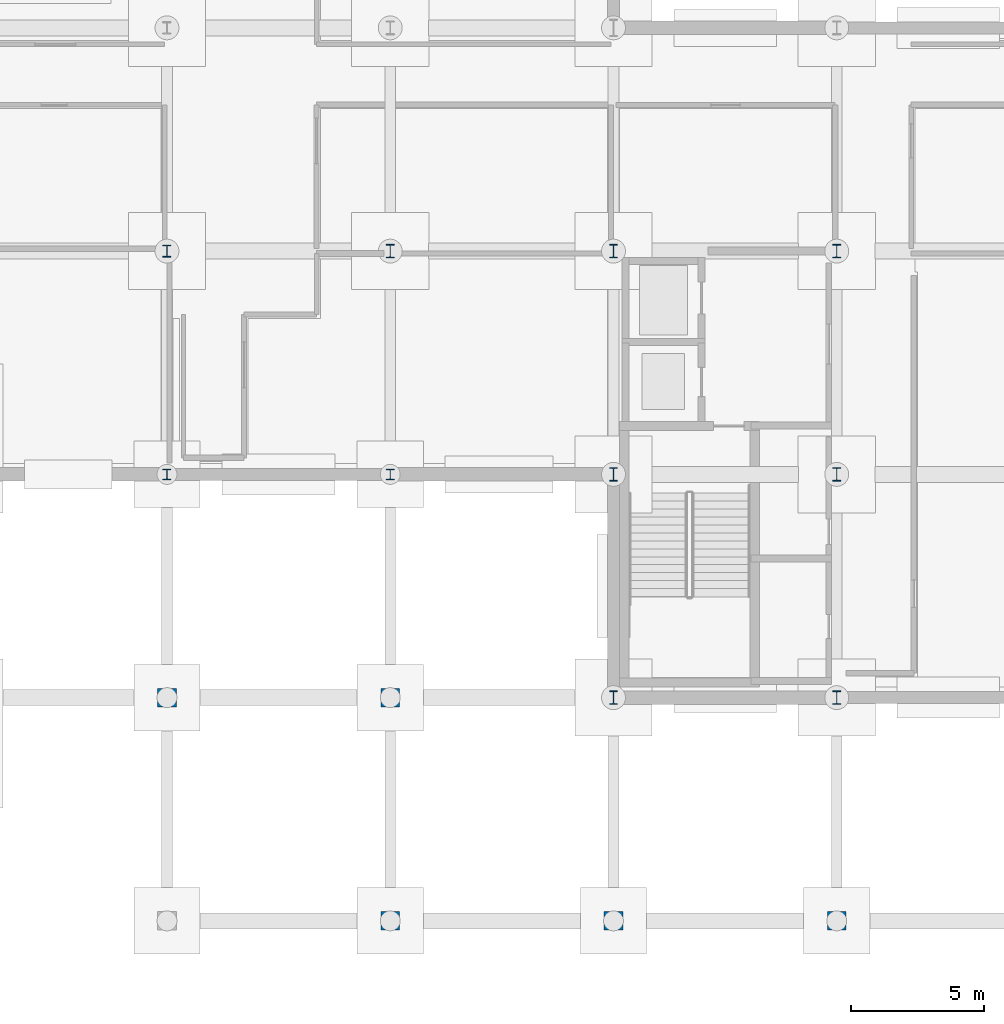
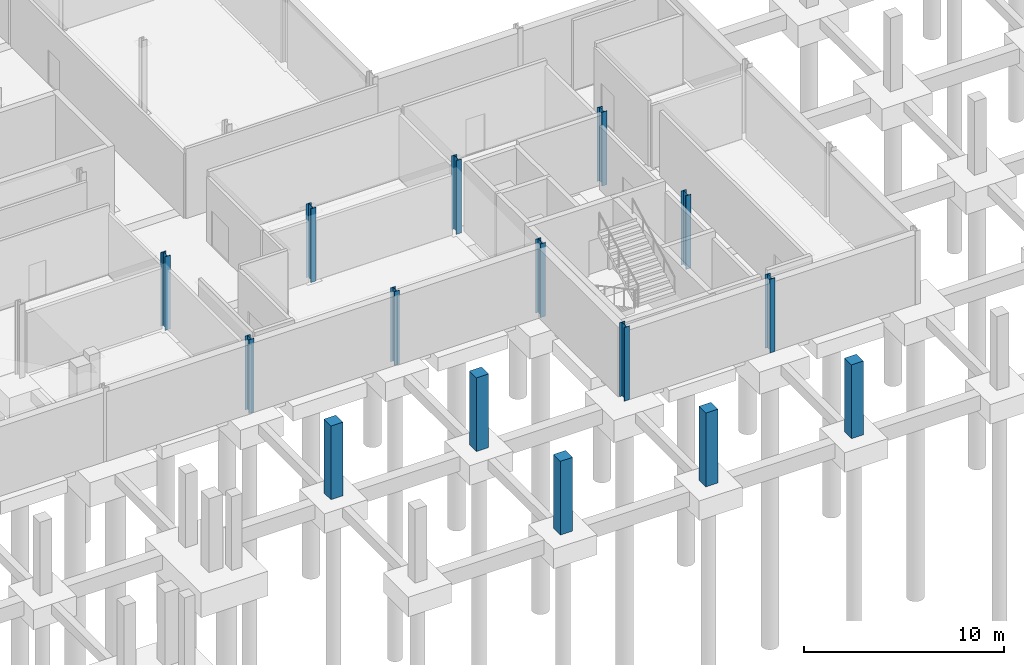
# One storey, part 10 of 43: 15 columns.
"""IFC4 building model written with IfcOpenShell, lengths in metres."""

from ifc_helpers import new_model, si_unit, direction, frame, origin, origin_2d, place, context, subcontext, project, spatial, rectangle, i_section, extrude, material, material_profile, profile_set, type_object, element, save


model = new_model("IFC4")

# Units and contexts
model_context = context("Model", 3, precision=1e-05, world=origin(), true_north=direction((0.0, 1.0)))
body_context = subcontext(model_context, "Body", "Model", "MODEL_VIEW")
ifc_project = project(units=[si_unit("LENGTHUNIT", "METRE"), si_unit("AREAUNIT", "SQUARE_METRE"), si_unit("VOLUMEUNIT", "CUBIC_METRE"), si_unit("PLANEANGLEUNIT", "RADIAN"), si_unit("MASSUNIT", "GRAM", prefix="KILO")], contexts=[model_context])

# Site, building, storey
site_placement = place(None, origin())
site = spatial("IfcSite", under=ifc_project, at=site_placement, CompositionType="ELEMENT")
building_placement = place(site_placement, origin())
building = spatial("IfcBuilding", under=site, at=building_placement, Name="Mersafa Astral City Hall", CompositionType="ELEMENT")
storey_placement = place(building_placement, frame((0.0, 0.0, -4.5)))
storey = spatial("IfcBuildingStorey", under=building, at=storey_placement, Name="B1", CompositionType="ELEMENT", Elevation=-4.5)

# Columns
ifc_material_1 = material(Name="Steel S355", Category="steel")
ifc_material_profile_1 = material_profile(ifc_material_1, i_section(OverallWidth=0.300048828125, OverallDepth=0.39990234375, WebThickness=0.013427734375, FlangeThickness=0.02392578125, FilletRadius=0.027099609375, at=origin_2d()), Name="HEB 400")
ifc_profile_set_1 = profile_set([ifc_material_profile_1], Name="Steel S355")
column_type_1 = type_object("IfcColumnType", Name="STR-COL-HEB400", PredefinedType="COLUMN", material=ifc_profile_set_1)
for number, where, z_axis, x_axis, name in (
    (1, (100.800048828125, 16.800048828125, 0.0), (0.0, 0.0, 1.0), (1.0, 0.0, 0.0), "B1 Structural column G-12-02"),
    (2, (109.199951171875, 16.800048828125, 0.0), (0.0, 0.0, 1.0), (1.0, 0.0, 0.0), "B1 Structural column G-13-02"),
):
    element("IfcColumn", number, at=place(storey_placement, frame(where, z_axis=z_axis, x_axis=x_axis)), inside=storey, type_object=column_type_1, Name=name, PredefinedType="COLUMN", context=body_context, shape_type="SweptSolid", body=[
        extrude(i_section(OverallWidth=0.300048828125, OverallDepth=0.39990234375, WebThickness=0.013427734375, FlangeThickness=0.02392578125, FilletRadius=0.027099609375, at=origin_2d()), origin(), (0.0, 0.0, 1.0), 4.5),
    ])
ifc_material_profile_2 = material_profile(ifc_material_1, i_section(OverallWidth=0.300048828125, OverallDepth=0.449951171875, WebThickness=0.013916015625, FlangeThickness=0.02587890625, FilletRadius=0.027099609375, at=origin_2d()), Name="HEB 450")
ifc_profile_set_2 = profile_set([ifc_material_profile_2], Name="Steel S355")
column_type_2 = type_object("IfcColumnType", Name="STR-COL-HEB450", PredefinedType="COLUMN", material=ifc_profile_set_2)
column_placement = place(storey_placement, frame((100.800048828125, 25.199951171875, 0.0), z_axis=(0.0, 0.0, 1.0), x_axis=(1.0, 0.0, 0.0)))
element("IfcColumn", 3, at=column_placement, inside=storey, type_object=column_type_2, Name="B1 Structural column G-12-03", PredefinedType="COLUMN", context=body_context, shape_type="SweptSolid", body=[
    extrude(i_section(OverallWidth=0.300048828125, OverallDepth=0.449951171875, WebThickness=0.013916015625, FlangeThickness=0.02587890625, FilletRadius=0.027099609375, at=origin_2d()), origin(), (0.0, 0.0, 1.0), 4.5),
])
ifc_material_profile_3 = material_profile(ifc_material_1, i_section(OverallWidth=0.300048828125, OverallDepth=0.5, WebThickness=0.014404296875, FlangeThickness=0.028076171875, FilletRadius=0.027099609375, at=origin_2d()), Name="HEB 500")
ifc_profile_set_3 = profile_set([ifc_material_profile_3], Name="Steel S355")
column_type_3 = type_object("IfcColumnType", Name="STR-COL-HEB500", PredefinedType="COLUMN", material=ifc_profile_set_3)
for number, where, z_axis, x_axis, name in (
    (4, (109.199951171875, 25.199951171875, 0.0), (0.0, 0.0, 1.0), (1.0, 0.0, 0.0), "B1 Structural column G-13-03"),
    (5, (117.60009765625, 8.39990234375, 0.0), (0.0, 0.0, 1.0), (1.0, 0.0, 0.0), "B1 Structural column G-14-01"),
    (6, (117.60009765625, 16.800048828125, 0.0), (0.0, 0.0, 1.0), (1.0, 0.0, 0.0), "B1 Structural column G-14-02"),
    (7, (117.60009765625, 25.199951171875, 0.0), (0.0, 0.0, 1.0), (1.0, 0.0, 0.0), "B1 Structural column G-14-03"),
    (8, (126.0, 8.39990234375, 0.0), (0.0, 0.0, 1.0), (1.0, 0.0, 0.0), "B1 Structural column G-15-01"),
    (9, (126.0, 16.800048828125, 0.0), (0.0, 0.0, 1.0), (1.0, 0.0, 0.0), "B1 Structural column G-15-02"),
    (10, (126.0, 25.199951171875, 0.0), (0.0, 0.0, 1.0), (1.0, 0.0, 0.0), "B1 Structural column G-15-03"),
):
    element("IfcColumn", number, at=place(storey_placement, frame(where, z_axis=z_axis, x_axis=x_axis)), inside=storey, type_object=column_type_3, Name=name, PredefinedType="COLUMN", context=body_context, shape_type="SweptSolid", body=[
        extrude(i_section(OverallWidth=0.300048828125, OverallDepth=0.5, WebThickness=0.014404296875, FlangeThickness=0.028076171875, FilletRadius=0.027099609375, at=origin_2d()), origin(), (0.0, 0.0, 1.0), 4.5),
    ])
ifc_material_2 = material(Name="Concrete C40/50", Category="concrete")
ifc_material_profile_4 = material_profile(ifc_material_2, rectangle(XDim=0.699951171875, YDim=0.699951171875, at=origin_2d()), Name="RC 700x700")
ifc_profile_set_4 = profile_set([ifc_material_profile_4], Name="Concrete C40/50")
column_type_4 = type_object("IfcColumnType", Name="STR-COL-RC700", PredefinedType="COLUMN", material=ifc_profile_set_4)
for number, where, z_axis, x_axis, name in (
    (11, (100.800048828125, 8.39990234375, 0.0), (0.0, 0.0, 1.0), (1.0, 0.0, 0.0), "B1 Structural column G-12-01"),
    (12, (109.199951171875, 0.0, 0.0), (0.0, 0.0, 1.0), (1.0, 0.0, 0.0), "B1 Structural column G-13-00"),
    (13, (109.199951171875, 8.39990234375, 0.0), (0.0, 0.0, 1.0), (1.0, 0.0, 0.0), "B1 Structural column G-13-01"),
    (14, (117.60009765625, 0.0, 0.0), (0.0, 0.0, 1.0), (1.0, 0.0, 0.0), "B1 Structural column G-14-00"),
    (15, (126.0, 0.0, 0.0), (0.0, 0.0, 1.0), (1.0, 0.0, 0.0), "B1 Structural column G-15-00"),
):
    element("IfcColumn", number, at=place(storey_placement, frame(where, z_axis=z_axis, x_axis=x_axis)), inside=storey, type_object=column_type_4, Name=name, PredefinedType="COLUMN", context=body_context, shape_type="SweptSolid", body=[
        extrude(rectangle(XDim=0.699951171875, YDim=0.699951171875, at=origin_2d()), origin(), (0.0, 0.0, 1.0), 4.5),
    ])

save(model, "model.ifc")
